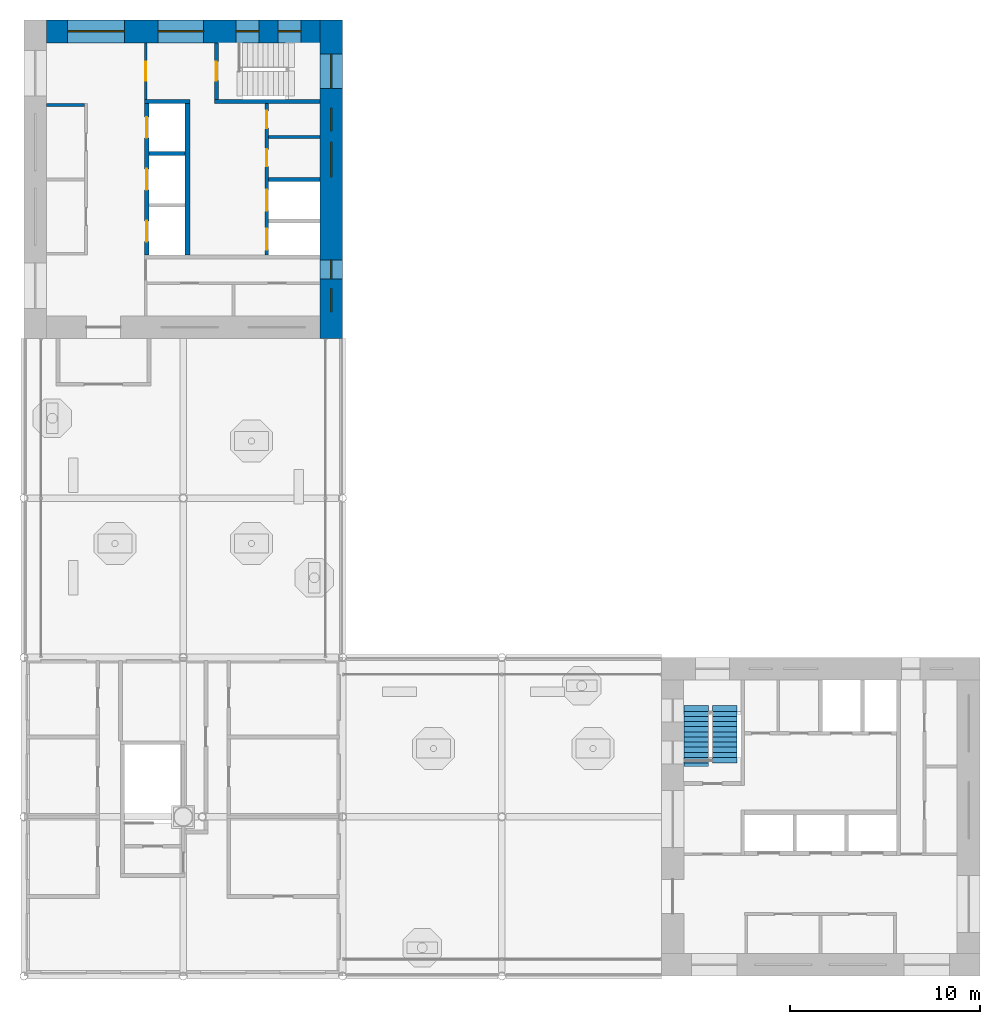
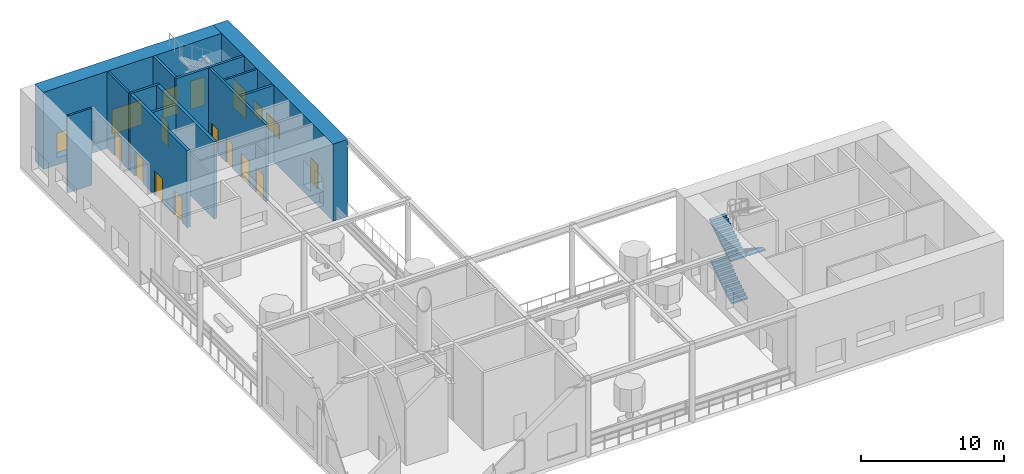
# One storey, part 11 of 15: 13 walls, 9 doors, 9 windows, 3 stair flights, 18 openings, 1 element without a shape of its own.
"""IFC4 building model written with IfcOpenShell, lengths in metres."""

from ifc_helpers import new_model, si_unit, direction, frame, frame_2d, origin, place, context, subcontext, project, spatial, polyline, rectangle, outline, extrude, material, layer, layer_set, type_object, element, fill, aggregate, save


model = new_model("IFC4")

# Units and contexts
model_context = context("Model", 3, precision=1e-05, world=origin(), true_north=direction((0.0, 1.0)))
body_context = subcontext(model_context, "Body", "Model", "MODEL_VIEW")
ifc_project = project(units=[si_unit("LENGTHUNIT", "METRE"), si_unit("AREAUNIT", "SQUARE_METRE"), si_unit("VOLUMEUNIT", "CUBIC_METRE"), si_unit("PLANEANGLEUNIT", "RADIAN"), si_unit("MASSUNIT", "GRAM", prefix="KILO")], contexts=[model_context])

# Site, building, storey
site_placement = place(None, origin())
site = spatial("IfcSite", under=ifc_project, at=site_placement, CompositionType="ELEMENT")
building_placement = place(site_placement, origin())
building = spatial("IfcBuilding", under=site, at=building_placement, Name="Vermilion Gate Residences", CompositionType="ELEMENT")
storey_placement = place(building_placement, frame((0.0, 0.0, 277.199951171875)))
storey = spatial("IfcBuildingStorey", under=building, at=storey_placement, Name="L73", CompositionType="ELEMENT", Elevation=277.199951171875)

# Walls
ifc_material_1 = material(Name="Masonry blockwork", Category="masonry")
ifc_layer_1 = layer(ifc_material_1, 0.14990234375)
ifc_layer_set_1 = layer_set([ifc_layer_1], Name="BLOCKWORK PARTITION 150 EI 120")
wall_type_1 = type_object("IfcWallType", Name="BLOCKWORK PARTITION 150 EI 120", PredefinedType="PARTITIONING", material=ifc_layer_set_1)
wall_1_placement = place(storey_placement, frame((9.60009765625, 54.324951171875, 0.0), z_axis=(0.0, 0.0, 1.0), x_axis=(1.0, 0.0, 0.0)))
element("IfcWall", 1, at=wall_1_placement, inside=storey, type_object=wall_type_1, Name="Core room partition B73-RW-W", PredefinedType="PARTITIONING", context=body_context, shape_type="SweptSolid", body=[
    extrude(rectangle(XDim=2.0, YDim=0.14990234375, at=frame_2d((1.0, 0.0))), origin(), (0.0, 0.0, 1.0), 6.580078125),
])
wall_2_placement = place(storey_placement, frame((21.300048828125, 52.637451171875, 0.0), z_axis=(0.0, 0.0, 1.0), x_axis=(1.0, 0.0, 0.0)))
element("IfcWall", 2, at=wall_2_placement, inside=storey, type_object=wall_type_1, Name="Core room partition B73-NR-P0", PredefinedType="PARTITIONING", context=body_context, shape_type="SweptSolid", body=[
    extrude(rectangle(XDim=2.699951171875, YDim=0.14990234375, at=frame_2d((1.35009765625, 0.0))), origin(), (0.0, 0.0, 1.0), 6.580078125),
])

# Wall, opening, door
wall_3_placement = place(storey_placement, frame((14.824951171875, 57.60009765625, 0.0), z_axis=(0.0, 0.0, 1.0), x_axis=(0.0, -1.0, 0.0)))
wall_3 = element("IfcWall", 3, at=wall_3_placement, inside=storey, type_object=wall_type_1, Name="Core room partition B73-VW-S", PredefinedType="PARTITIONING", context=body_context, shape_type="SweptSolid", body=[
    extrude(rectangle(XDim=3.0, YDim=0.14990234375, at=frame_2d((1.5, 0.0))), origin(), (0.0, 0.0, 1.0), 6.580078125),
])
opening_1_placement = place(wall_3_placement, frame((1.0, 0.0, 0.0)))
opening_1 = element("IfcOpeningElement", 4, at=opening_1_placement, cuts=wall_3, Name="Opening DK73111", PredefinedType="OPENING", context=body_context, shape_type="SweptSolid", body=[
    extrude(rectangle(XDim=1.0, YDim=2.10009765625, at=frame_2d((0.5, 1.050048828125))), frame((0.0, 0.0849609375, 0.0), z_axis=(0.0, -1.0, 0.0), x_axis=(1.0, 0.0, 0.0)), (0.0, 0.0, 1.0), 0.169921875),
])
ifc_material_2 = material(Name="Steel", Category="steel")
door_type_1 = type_object("IfcDoorType", Name="FIRE DOOR FD60 1000 X 2100", OperationType="SINGLE_SWING_LEFT", PredefinedType="DOOR", material=ifc_material_2)
door_1_placement = place(opening_1_placement, frame((1.0, 0.0, 0.0), z_axis=(0.0, 0.0, 1.0), x_axis=(-1.0, 0.0, 0.0)))
door_1 = element("IfcDoor", 5, at=door_1_placement, inside=storey, type_object=door_type_1, Name="Stair vestibule door B73", OperationType="SINGLE_SWING_RIGHT", OverallHeight=2.10009765625, OverallWidth=1.0, PredefinedType="DOOR", context=body_context, shape_type="SweptSolid", body=[
    extrude(rectangle(XDim=1.0, YDim=2.10009765625, at=frame_2d((0.5, 1.050048828125))), frame((0.0, 0.02490234375, 0.0), z_axis=(0.0, -1.0, 0.0), x_axis=(1.0, 0.0, 0.0)), (0.0, 0.0, 1.0), 0.050048828125),
])
fill(opening_1, door_1)

# Walls
ifc_material_3 = material(Name="Concrete C60", Category="concrete")
ifc_layer_2 = layer(ifc_material_3, 0.199951171875)
ifc_layer_set_2 = layer_set([ifc_layer_2], Name="RC CORE INTERNAL WALL 200 C60")
wall_type_2 = type_object("IfcWallType", Name="RC CORE INTERNAL WALL 200 C60", PredefinedType="SHEAR", material=ifc_layer_set_2)
wall_4_placement = place(storey_placement, frame((15.0, 51.7666015625, 0.0), z_axis=(0.0, 0.0, 1.0), x_axis=(1.0, 0.0, 0.0)))
element("IfcWall", 6, at=wall_4_placement, inside=storey, type_object=wall_type_2, Name="Core internal wall B73-HR-D1", PredefinedType="SHEAR", context=body_context, shape_type="SweptSolid", body=[
    extrude(rectangle(XDim=1.89990234375, YDim=0.199951171875, at=frame_2d((0.949951171875, 0.0))), origin(), (0.0, 0.0, 1.0), 6.580078125),
])
wall_5_placement = place(storey_placement, frame((21.300048828125, 50.39990234375, 0.0), z_axis=(0.0, 0.0, 1.0), x_axis=(1.0, 0.0, 0.0)))
element("IfcWall", 7, at=wall_5_placement, inside=storey, type_object=wall_type_2, Name="Core internal wall B73-FF-D0", PredefinedType="SHEAR", context=body_context, shape_type="SweptSolid", body=[
    extrude(rectangle(XDim=2.699951171875, YDim=0.199951171875, at=frame_2d((1.35009765625, 0.0))), origin(), (0.0, 0.0, 1.0), 6.580078125),
])

# Wall, openings, doors
wall_6_placement = place(storey_placement, frame((21.199951171875, 54.39990234375, 0.0), z_axis=(0.0, 0.0, 1.0), x_axis=(0.0, -1.0, 0.0)))
wall_6 = element("IfcWall", 8, at=wall_6_placement, inside=storey, type_object=wall_type_2, Name="Core internal wall B73-FF-F", PredefinedType="SHEAR", context=body_context, shape_type="SweptSolid", body=[
    extrude(rectangle(XDim=8.0, YDim=0.199951171875, at=frame_2d((4.0, 0.0))), origin(), (0.0, 0.0, 1.0), 6.580078125),
])
opening_2_placement = place(wall_6_placement, frame((0.393798828125, 0.0, 0.0)))
opening_2 = element("IfcOpeningElement", 9, at=opening_2_placement, cuts=wall_6, Name="Opening DK73107", PredefinedType="OPENING", context=body_context, shape_type="SweptSolid", body=[
    extrude(rectangle(XDim=0.89990234375, YDim=2.10009765625, at=frame_2d((0.449951171875, 1.050048828125))), frame((0.0, 0.10986328125, 0.0), z_axis=(0.0, -1.0, 0.0), x_axis=(1.0, 0.0, 0.0)), (0.0, 0.0, 1.0), 0.219970703125),
])
opening_3_placement = place(wall_6_placement, frame((2.418701171875, 0.0, 0.0)))
opening_3 = element("IfcOpeningElement", 10, at=opening_3_placement, cuts=wall_6, Name="Opening DK73108", PredefinedType="OPENING", context=body_context, shape_type="SweptSolid", body=[
    extrude(rectangle(XDim=0.89990234375, YDim=2.10009765625, at=frame_2d((0.449951171875, 1.050048828125))), frame((0.0, 0.10986328125, 0.0), z_axis=(0.0, -1.0, 0.0), x_axis=(1.0, 0.0, 0.0)), (0.0, 0.0, 1.0), 0.219970703125),
])
opening_4_placement = place(wall_6_placement, frame((4.550048828125, 0.0, 0.0)))
opening_4 = element("IfcOpeningElement", 11, at=opening_4_placement, cuts=wall_6, Name="Opening LD", PredefinedType="OPENING", context=body_context, shape_type="SweptSolid", body=[
    extrude(rectangle(XDim=1.10009765625, YDim=2.10009765625, at=frame_2d((0.550048828125, 1.050048828125))), frame((0.0, 0.10986328125, 0.0), z_axis=(0.0, -1.0, 0.0), x_axis=(1.0, 0.0, 0.0)), (0.0, 0.0, 1.0), 0.219970703125),
])
opening_5_placement = place(wall_6_placement, frame((6.60009765625, 0.0, 0.0)))
opening_5 = element("IfcOpeningElement", 12, at=opening_5_placement, cuts=wall_6, Name="Opening LD", PredefinedType="OPENING", context=body_context, shape_type="SweptSolid", body=[
    extrude(rectangle(XDim=1.10009765625, YDim=2.10009765625, at=frame_2d((0.550048828125, 1.050048828125))), frame((0.0, 0.10986328125, 0.0), z_axis=(0.0, -1.0, 0.0), x_axis=(1.0, 0.0, 0.0)), (0.0, 0.0, 1.0), 0.219970703125),
])
ifc_material_4 = material(Name="Stainless steel", Category="steel")
door_type_2 = type_object("IfcDoorType", Name="LIFT LANDING DOOR E60 1100 X 2100", OperationType="DOUBLE_DOOR_SLIDING", PredefinedType="DOOR", material=ifc_material_4)
door_2_placement = place(opening_4_placement, origin())
door_2 = element("IfcDoor", 13, at=door_2_placement, inside=storey, type_object=door_type_2, Name="Lift landing door LFB1", OperationType="DOUBLE_DOOR_SLIDING", OverallHeight=2.10009765625, OverallWidth=1.10009765625, PredefinedType="DOOR", context=body_context, shape_type="SweptSolid", body=[
    extrude(rectangle(XDim=1.10009765625, YDim=2.10009765625, at=frame_2d((0.550048828125, 1.050048828125))), frame((0.0, 0.02490234375, 0.0), z_axis=(0.0, -1.0, 0.0), x_axis=(1.0, 0.0, 0.0)), (0.0, 0.0, 1.0), 0.050048828125),
])
fill(opening_4, door_2)
door_3_placement = place(opening_5_placement, origin())
door_3 = element("IfcDoor", 14, at=door_3_placement, inside=storey, type_object=door_type_2, Name="Lift landing door LCB1", OperationType="DOUBLE_DOOR_SLIDING", OverallHeight=2.10009765625, OverallWidth=1.10009765625, PredefinedType="DOOR", context=body_context, shape_type="SweptSolid", body=[
    extrude(rectangle(XDim=1.10009765625, YDim=2.10009765625, at=frame_2d((0.550048828125, 1.050048828125))), frame((0.0, 0.02490234375, 0.0), z_axis=(0.0, -1.0, 0.0), x_axis=(1.0, 0.0, 0.0)), (0.0, 0.0, 1.0), 0.050048828125),
])
fill(opening_5, door_3)
ifc_material_5 = material(Name="Steel", Category="steel")
door_type_3 = type_object("IfcDoorType", Name="SERVICE ROOM DOOR FD60 900 X 2100", OperationType="SINGLE_SWING_LEFT", PredefinedType="DOOR", material=ifc_material_5)
door_4_placement = place(opening_2_placement, origin())
door_4 = element("IfcDoor", 15, at=door_4_placement, inside=storey, type_object=door_type_3, Name="Parcel room B73", OperationType="SINGLE_SWING_RIGHT", OverallHeight=2.10009765625, OverallWidth=0.89990234375, PredefinedType="DOOR", context=body_context, shape_type="SweptSolid", body=[
    extrude(rectangle(XDim=0.89990234375, YDim=2.10009765625, at=frame_2d((0.449951171875, 1.050048828125))), frame((0.0, 0.02490234375, 0.0), z_axis=(0.0, -1.0, 0.0), x_axis=(1.0, 0.0, 0.0)), (0.0, 0.0, 1.0), 0.050048828125),
])
fill(opening_2, door_4)
door_5_placement = place(opening_3_placement, frame((0.89990234375, 0.0, 0.0), z_axis=(0.0, 0.0, 1.0), x_axis=(-1.0, 0.0, 0.0)))
door_5 = element("IfcDoor", 16, at=door_5_placement, inside=storey, type_object=door_type_3, Name="Electrical room B73", OperationType="SINGLE_SWING_RIGHT", OverallHeight=2.10009765625, OverallWidth=0.89990234375, PredefinedType="DOOR", context=body_context, shape_type="SweptSolid", body=[
    extrude(rectangle(XDim=0.89990234375, YDim=2.10009765625, at=frame_2d((0.449951171875, 1.050048828125))), frame((0.0, 0.02490234375, 0.0), z_axis=(0.0, -1.0, 0.0), x_axis=(1.0, 0.0, 0.0)), (0.0, 0.0, 1.0), 0.050048828125),
])
fill(opening_3, door_5)

# Walls
wall_7_placement = place(storey_placement, frame((14.75, 54.5, 0.0), z_axis=(0.0, 0.0, 1.0), x_axis=(1.0, 0.0, 0.0)))
element("IfcWall", 17, at=wall_7_placement, inside=storey, type_object=wall_type_2, Name="Core internal wall B73-WDIV1", PredefinedType="SHEAR", context=body_context, shape_type="SweptSolid", body=[
    extrude(rectangle(XDim=2.39990234375, YDim=0.199951171875, at=frame_2d((1.199951171875, 0.0))), origin(), (0.0, 0.0, 1.0), 6.580078125),
])
wall_8_placement = place(storey_placement, frame((18.449951171875, 54.5, 0.0), z_axis=(0.0, 0.0, 1.0), x_axis=(1.0, 0.0, 0.0)))
element("IfcWall", 18, at=wall_8_placement, inside=storey, type_object=wall_type_2, Name="Core internal wall B73-WDIV2", PredefinedType="SHEAR", context=body_context, shape_type="SweptSolid", body=[
    extrude(rectangle(XDim=5.550048828125, YDim=0.199951171875, at=frame_2d((2.77490234375, 0.0))), origin(), (0.0, 0.0, 1.0), 6.580078125),
])

# Wall, opening, door
wall_9_placement = place(storey_placement, frame((18.550048828125, 57.60009765625, 0.0), z_axis=(0.0, 0.0, 1.0), x_axis=(0.0, -1.0, 0.0)))
wall_9 = element("IfcWall", 19, at=wall_9_placement, inside=storey, type_object=wall_type_2, Name="Core internal wall B73-STW-S", PredefinedType="SHEAR", context=body_context, shape_type="SweptSolid", body=[
    extrude(rectangle(XDim=3.0, YDim=0.199951171875, at=frame_2d((1.5, 0.0))), origin(), (0.0, 0.0, 1.0), 6.580078125),
])
opening_6_placement = place(wall_9_placement, frame((1.0, 0.0, 0.0)))
opening_6 = element("IfcOpeningElement", 20, at=opening_6_placement, cuts=wall_9, Name="Opening DK73112", PredefinedType="OPENING", context=body_context, shape_type="SweptSolid", body=[
    extrude(rectangle(XDim=1.0, YDim=2.10009765625, at=frame_2d((0.5, 1.050048828125))), frame((0.0, 0.10986328125, 0.0), z_axis=(0.0, -1.0, 0.0), x_axis=(1.0, 0.0, 0.0)), (0.0, 0.0, 1.0), 0.219970703125),
])
door_6_placement = place(opening_6_placement, origin())
door_6 = element("IfcDoor", 21, at=door_6_placement, inside=storey, type_object=door_type_1, Name="Stair door B73", OperationType="SINGLE_SWING_LEFT", OverallHeight=2.10009765625, OverallWidth=1.0, PredefinedType="DOOR", context=body_context, shape_type="SweptSolid", body=[
    extrude(rectangle(XDim=1.0, YDim=2.10009765625, at=frame_2d((0.5, 1.050048828125))), frame((0.0, 0.02490234375, 0.0), z_axis=(0.0, -1.0, 0.0), x_axis=(1.0, 0.0, 0.0)), (0.0, 0.0, 1.0), 0.050048828125),
])
fill(opening_6, door_6)

# Wall, openings, windows
ifc_material_6 = material(Name="Concrete C50 red-oxide pigmented", Category="concrete")
ifc_layer_3 = layer(ifc_material_6, 1.199951171875)
ifc_layer_set_3 = layer_set([ifc_layer_3], Name="RC CORE WALL 1200 C50 RED OXIDE")
wall_type_3 = type_object("IfcWallType", Name="RC CORE WALL 1200 C50 RED OXIDE", PredefinedType="SHEAR", material=ifc_layer_set_3)
wall_10_placement = place(storey_placement, frame((24.60009765625, 58.800048828125, 0.0), z_axis=(0.0, 0.0, 1.0), x_axis=(0.0, -1.0, 0.0)))
wall_10 = element("IfcWall", 22, at=wall_10_placement, inside=storey, type_object=wall_type_3, Name="Core wall B73-OUT-B1", PredefinedType="SHEAR", context=body_context, shape_type="SweptSolid", body=[
    extrude(rectangle(XDim=16.800048828125, YDim=1.199951171875, at=frame_2d((8.39990234375, 0.0))), origin(), (0.0, 0.0, 1.0), 6.580078125),
])
opening_7_placement = place(wall_10_placement, frame((1.800048828125, 0.0, 0.5)))
opening_7 = element("IfcOpeningElement", 23, at=opening_7_placement, cuts=wall_10, Name="Opening WKB7305", PredefinedType="OPENING", context=body_context, shape_type="SweptSolid", body=[
    extrude(rectangle(XDim=1.800048828125, YDim=2.39990234375, at=frame_2d((0.89990234375, 1.199951171875))), frame((0.0, 0.60986328125, 0.0), z_axis=(0.0, -1.0, 0.0), x_axis=(1.0, 0.0, 0.0)), (0.0, 0.0, 1.0), 1.219970703125),
])
opening_8_placement = place(wall_10_placement, frame((4.643798828125, 0.0, 1.60009765625)))
opening_8 = element("IfcOpeningElement", 24, at=opening_8_placement, cuts=wall_10, Name="Opening WKB7306", PredefinedType="OPENING", context=body_context, shape_type="SweptSolid", body=[
    extrude(rectangle(XDim=1.199951171875, YDim=1.199951171875, at=frame_2d((0.60009765625, 0.60009765625))), frame((0.0, 0.60986328125, 0.0), z_axis=(0.0, -1.0, 0.0), x_axis=(1.0, 0.0, 0.0)), (0.0, 0.0, 1.0), 1.219970703125),
])
opening_9_placement = place(wall_10_placement, frame((6.449951171875, 0.0, 1.60009765625)))
opening_9 = element("IfcOpeningElement", 25, at=opening_9_placement, cuts=wall_10, Name="Opening WKB7307", PredefinedType="OPENING", context=body_context, shape_type="SweptSolid", body=[
    extrude(rectangle(XDim=1.800048828125, YDim=1.199951171875, at=frame_2d((0.89990234375, 0.60009765625))), frame((0.0, 0.60986328125, 0.0), z_axis=(0.0, -1.0, 0.0), x_axis=(1.0, 0.0, 0.0)), (0.0, 0.0, 1.0), 1.219970703125),
])
opening_10_placement = place(wall_10_placement, frame((12.64990234375, 0.0, 0.60009765625)))
opening_10 = element("IfcOpeningElement", 26, at=opening_10_placement, cuts=wall_10, Name="Opening WKB7308", PredefinedType="OPENING", context=body_context, shape_type="SweptSolid", body=[
    extrude(rectangle(XDim=1.0, YDim=2.10009765625, at=frame_2d((0.5, 1.050048828125))), frame((0.0, 0.60986328125, 0.0), z_axis=(0.0, -1.0, 0.0), x_axis=(1.0, 0.0, 0.0)), (0.0, 0.0, 1.0), 1.219970703125),
])
opening_11_placement = place(wall_10_placement, frame((14.175048828125, 0.0, 1.60009765625)))
opening_11 = element("IfcOpeningElement", 27, at=opening_11_placement, cuts=wall_10, Name="Opening WKB7309", PredefinedType="OPENING", context=body_context, shape_type="SweptSolid", body=[
    extrude(rectangle(XDim=1.199951171875, YDim=1.199951171875, at=frame_2d((0.60009765625, 0.60009765625))), frame((0.0, 0.60986328125, 0.0), z_axis=(0.0, -1.0, 0.0), x_axis=(1.0, 0.0, 0.0)), (0.0, 0.0, 1.0), 1.219970703125),
])
ifc_material_7 = material(Name="Aluminium and clear glass", Category="aluminium")
window_type_1 = type_object("IfcWindowType", Name="CORE CORRIDOR WINDOW 1000 X 2100", PartitioningType="SINGLE_PANEL", PredefinedType="WINDOW", material=ifc_material_7)
window_1_placement = place(opening_10_placement, origin())
window_1 = element("IfcWindow", 28, at=window_1_placement, inside=storey, type_object=window_type_1, Name="Core corridor window", OverallHeight=2.10009765625, OverallWidth=1.0, PartitioningType="SINGLE_PANEL", PredefinedType="WINDOW", context=body_context, shape_type="SweptSolid", body=[
    extrude(rectangle(XDim=1.0, YDim=2.10009765625, at=frame_2d((0.5, 1.050048828125))), frame((0.0, 0.030029296875, 0.0), z_axis=(0.0, -1.0, 0.0), x_axis=(1.0, 0.0, 0.0)), (0.0, 0.0, 1.0), 0.06005859375),
])
fill(opening_10, window_1)
ifc_material_8 = material(Name="Aluminium frame with louvre blades", Category="aluminium")
window_type_2 = type_object("IfcWindowType", Name="CORE LOUVRE 1200 X 1200", PartitioningType="SINGLE_PANEL", PredefinedType="WINDOW", material=ifc_material_8)
window_2_placement = place(opening_8_placement, origin())
window_2 = element("IfcWindow", 29, at=window_2_placement, inside=storey, type_object=window_type_2, Name="Core louvre", OverallHeight=1.199951171875, OverallWidth=1.199951171875, PartitioningType="SINGLE_PANEL", PredefinedType="WINDOW", context=body_context, shape_type="SweptSolid", body=[
    extrude(rectangle(XDim=1.199951171875, YDim=1.199951171875, at=frame_2d((0.60009765625, 0.60009765625))), frame((0.0, 0.030029296875, 0.0), z_axis=(0.0, -1.0, 0.0), x_axis=(1.0, 0.0, 0.0)), (0.0, 0.0, 1.0), 0.06005859375),
])
fill(opening_8, window_2)
window_3_placement = place(opening_11_placement, origin())
window_3 = element("IfcWindow", 30, at=window_3_placement, inside=storey, type_object=window_type_2, Name="Core louvre", OverallHeight=1.199951171875, OverallWidth=1.199951171875, PartitioningType="SINGLE_PANEL", PredefinedType="WINDOW", context=body_context, shape_type="SweptSolid", body=[
    extrude(rectangle(XDim=1.199951171875, YDim=1.199951171875, at=frame_2d((0.60009765625, 0.60009765625))), frame((0.0, 0.030029296875, 0.0), z_axis=(0.0, -1.0, 0.0), x_axis=(1.0, 0.0, 0.0)), (0.0, 0.0, 1.0), 0.06005859375),
])
fill(opening_11, window_3)
ifc_material_9 = material(Name="Aluminium frame with louvre blades", Category="aluminium")
window_type_3 = type_object("IfcWindowType", Name="CORE LOUVRE 1800 X 1200", PartitioningType="SINGLE_PANEL", PredefinedType="WINDOW", material=ifc_material_9)
window_4_placement = place(opening_9_placement, origin())
window_4 = element("IfcWindow", 31, at=window_4_placement, inside=storey, type_object=window_type_3, Name="Core louvre", OverallHeight=1.199951171875, OverallWidth=1.800048828125, PartitioningType="SINGLE_PANEL", PredefinedType="WINDOW", context=body_context, shape_type="SweptSolid", body=[
    extrude(rectangle(XDim=1.800048828125, YDim=1.199951171875, at=frame_2d((0.89990234375, 0.60009765625))), frame((0.0, 0.030029296875, 0.0), z_axis=(0.0, -1.0, 0.0), x_axis=(1.0, 0.0, 0.0)), (0.0, 0.0, 1.0), 0.06005859375),
])
fill(opening_9, window_4)
ifc_material_10 = material(Name="Aluminium and clear glass", Category="aluminium")
window_type_4 = type_object("IfcWindowType", Name="CORE STAIR WINDOW 1800 X 2400", PartitioningType="SINGLE_PANEL", PredefinedType="WINDOW", material=ifc_material_10)
window_5_placement = place(opening_7_placement, origin())
window_5 = element("IfcWindow", 32, at=window_5_placement, inside=storey, type_object=window_type_4, Name="Core stair window", OverallHeight=2.39990234375, OverallWidth=1.800048828125, PartitioningType="SINGLE_PANEL", PredefinedType="WINDOW", context=body_context, shape_type="SweptSolid", body=[
    extrude(rectangle(XDim=1.800048828125, YDim=2.39990234375, at=frame_2d((0.89990234375, 1.199951171875))), frame((0.0, 0.030029296875, 0.0), z_axis=(0.0, -1.0, 0.0), x_axis=(1.0, 0.0, 0.0)), (0.0, 0.0, 1.0), 0.06005859375),
])
fill(opening_7, window_5)

wall_11_placement = place(storey_placement, frame((9.60009765625, 58.199951171875, 0.0), z_axis=(0.0, 0.0, 1.0), x_axis=(1.0, 0.0, 0.0)))
wall_11 = element("IfcWall", 33, at=wall_11_placement, inside=storey, type_object=wall_type_3, Name="Core wall B73-OUT-FR", PredefinedType="SHEAR", context=body_context, shape_type="SweptSolid", body=[
    extrude(rectangle(XDim=14.39990234375, YDim=1.199951171875, at=frame_2d((7.199951171875, 0.0))), origin(), (0.0, 0.0, 1.0), 6.580078125),
])
opening_12_placement = place(wall_11_placement, frame((1.10498046875, 0.0, 0.60009765625)))
opening_12 = element("IfcOpeningElement", 34, at=opening_12_placement, cuts=wall_11, Name="Opening WKB7310", PredefinedType="OPENING", context=body_context, shape_type="SweptSolid", body=[
    extrude(rectangle(XDim=3.0, YDim=2.10009765625, at=frame_2d((1.5, 1.050048828125))), frame((0.0, 0.60986328125, 0.0), z_axis=(0.0, -1.0, 0.0), x_axis=(1.0, 0.0, 0.0)), (0.0, 0.0, 1.0), 1.219970703125),
])
opening_13_placement = place(wall_11_placement, frame((5.875, 0.0, 0.60009765625)))
opening_13 = element("IfcOpeningElement", 35, at=opening_13_placement, cuts=wall_11, Name="Opening WKB7311", PredefinedType="OPENING", context=body_context, shape_type="SweptSolid", body=[
    extrude(rectangle(XDim=2.39990234375, YDim=2.10009765625, at=frame_2d((1.199951171875, 1.050048828125))), frame((0.0, 0.60986328125, 0.0), z_axis=(0.0, -1.0, 0.0), x_axis=(1.0, 0.0, 0.0)), (0.0, 0.0, 1.0), 1.219970703125),
])
opening_14_placement = place(wall_11_placement, frame((9.993408203125, 0.0, 0.5)))
opening_14 = element("IfcOpeningElement", 36, at=opening_14_placement, cuts=wall_11, Name="Opening WKB7312", PredefinedType="OPENING", context=body_context, shape_type="SweptSolid", body=[
    extrude(rectangle(XDim=1.199951171875, YDim=2.39990234375, at=frame_2d((0.60009765625, 1.199951171875))), frame((0.0, 0.60986328125, 0.0), z_axis=(0.0, -1.0, 0.0), x_axis=(1.0, 0.0, 0.0)), (0.0, 0.0, 1.0), 1.219970703125),
])
opening_15_placement = place(wall_11_placement, frame((12.19677734375, 0.0, 0.5)))
opening_15 = element("IfcOpeningElement", 37, at=opening_15_placement, cuts=wall_11, Name="Opening WKB7313", PredefinedType="OPENING", context=body_context, shape_type="SweptSolid", body=[
    extrude(rectangle(XDim=1.199951171875, YDim=2.39990234375, at=frame_2d((0.60009765625, 1.199951171875))), frame((0.0, 0.60986328125, 0.0), z_axis=(0.0, -1.0, 0.0), x_axis=(1.0, 0.0, 0.0)), (0.0, 0.0, 1.0), 1.219970703125),
])
ifc_material_11 = material(Name="Aluminium and clear glass", Category="aluminium")
window_type_5 = type_object("IfcWindowType", Name="CORE LOBBY WINDOW 2400 X 2100", PartitioningType="SINGLE_PANEL", PredefinedType="WINDOW", material=ifc_material_11)
window_6_placement = place(opening_13_placement, origin())
window_6 = element("IfcWindow", 38, at=window_6_placement, inside=storey, type_object=window_type_5, Name="Core lobby window", OverallHeight=2.10009765625, OverallWidth=2.39990234375, PartitioningType="SINGLE_PANEL", PredefinedType="WINDOW", context=body_context, shape_type="SweptSolid", body=[
    extrude(rectangle(XDim=2.39990234375, YDim=2.10009765625, at=frame_2d((1.199951171875, 1.050048828125))), frame((0.0, 0.030029296875, 0.0), z_axis=(0.0, -1.0, 0.0), x_axis=(1.0, 0.0, 0.0)), (0.0, 0.0, 1.0), 0.06005859375),
])
fill(opening_13, window_6)
ifc_material_12 = material(Name="Aluminium and clear glass", Category="aluminium")
window_type_6 = type_object("IfcWindowType", Name="CORE LOBBY WINDOW 3000 X 2100", PartitioningType="SINGLE_PANEL", PredefinedType="WINDOW", material=ifc_material_12)
window_7_placement = place(opening_12_placement, origin())
window_7 = element("IfcWindow", 39, at=window_7_placement, inside=storey, type_object=window_type_6, Name="Core lobby window", OverallHeight=2.10009765625, OverallWidth=3.0, PartitioningType="SINGLE_PANEL", PredefinedType="WINDOW", context=body_context, shape_type="SweptSolid", body=[
    extrude(rectangle(XDim=3.0, YDim=2.10009765625, at=frame_2d((1.5, 1.050048828125))), frame((0.0, 0.030029296875, 0.0), z_axis=(0.0, -1.0, 0.0), x_axis=(1.0, 0.0, 0.0)), (0.0, 0.0, 1.0), 0.06005859375),
])
fill(opening_12, window_7)
ifc_material_13 = material(Name="Aluminium and clear glass", Category="aluminium")
window_type_7 = type_object("IfcWindowType", Name="CORE STAIR WINDOW 1200 X 2400", PartitioningType="SINGLE_PANEL", PredefinedType="WINDOW", material=ifc_material_13)
window_8_placement = place(opening_14_placement, origin())
window_8 = element("IfcWindow", 40, at=window_8_placement, inside=storey, type_object=window_type_7, Name="Core stair window", OverallHeight=2.39990234375, OverallWidth=1.199951171875, PartitioningType="SINGLE_PANEL", PredefinedType="WINDOW", context=body_context, shape_type="SweptSolid", body=[
    extrude(rectangle(XDim=1.199951171875, YDim=2.39990234375, at=frame_2d((0.60009765625, 1.199951171875))), frame((0.0, 0.030029296875, 0.0), z_axis=(0.0, -1.0, 0.0), x_axis=(1.0, 0.0, 0.0)), (0.0, 0.0, 1.0), 0.06005859375),
])
fill(opening_14, window_8)
window_9_placement = place(opening_15_placement, origin())
window_9 = element("IfcWindow", 41, at=window_9_placement, inside=storey, type_object=window_type_7, Name="Core stair window", OverallHeight=2.39990234375, OverallWidth=1.199951171875, PartitioningType="SINGLE_PANEL", PredefinedType="WINDOW", context=body_context, shape_type="SweptSolid", body=[
    extrude(rectangle(XDim=1.199951171875, YDim=2.39990234375, at=frame_2d((0.60009765625, 1.199951171875))), frame((0.0, 0.030029296875, 0.0), z_axis=(0.0, -1.0, 0.0), x_axis=(1.0, 0.0, 0.0)), (0.0, 0.0, 1.0), 0.06005859375),
])
fill(opening_15, window_9)

# Wall, openings, doors
ifc_material_14 = material(Name="Concrete C60", Category="concrete")
ifc_layer_4 = layer(ifc_material_14, 0.25)
ifc_layer_set_4 = layer_set([ifc_layer_4], Name="RC LIFT SHAFT WALL 250 C60")
wall_type_4 = type_object("IfcWallType", Name="RC LIFT SHAFT WALL 250 C60", PredefinedType="SHEAR", material=ifc_layer_set_4)
wall_12_placement = place(storey_placement, frame((14.875, 54.39990234375, 0.0), z_axis=(0.0, 0.0, 1.0), x_axis=(0.0, -1.0, 0.0)))
wall_12 = element("IfcWall", 42, at=wall_12_placement, inside=storey, type_object=wall_type_4, Name="Lift shaft wall B73-HR-F", PredefinedType="SHEAR", context=body_context, shape_type="SweptSolid", body=[
    extrude(rectangle(XDim=8.0, YDim=0.25, at=frame_2d((4.0, 0.0))), origin(), (0.0, 0.0, 1.0), 6.580078125),
])
opening_16_placement = place(wall_12_placement, frame((0.716552734375, 0.0, 0.0)))
opening_16 = element("IfcOpeningElement", 43, at=opening_16_placement, cuts=wall_12, Name="Opening LD", PredefinedType="OPENING", context=body_context, shape_type="SweptSolid", body=[
    extrude(rectangle(XDim=1.10009765625, YDim=2.10009765625, at=frame_2d((0.550048828125, 1.050048828125))), frame((0.0, 0.135009765625, 0.0), z_axis=(0.0, -1.0, 0.0), x_axis=(1.0, 0.0, 0.0)), (0.0, 0.0, 1.0), 0.27001953125),
])
opening_17_placement = place(wall_12_placement, frame((3.449951171875, 0.0, 0.0)))
opening_17 = element("IfcOpeningElement", 44, at=opening_17_placement, cuts=wall_12, Name="Opening LD", PredefinedType="OPENING", context=body_context, shape_type="SweptSolid", body=[
    extrude(rectangle(XDim=1.10009765625, YDim=2.10009765625, at=frame_2d((0.550048828125, 1.050048828125))), frame((0.0, 0.135009765625, 0.0), z_axis=(0.0, -1.0, 0.0), x_axis=(1.0, 0.0, 0.0)), (0.0, 0.0, 1.0), 0.27001953125),
])
opening_18_placement = place(wall_12_placement, frame((6.183349609375, 0.0, 0.0)))
opening_18 = element("IfcOpeningElement", 45, at=opening_18_placement, cuts=wall_12, Name="Opening LD", PredefinedType="OPENING", context=body_context, shape_type="SweptSolid", body=[
    extrude(rectangle(XDim=1.10009765625, YDim=2.10009765625, at=frame_2d((0.550048828125, 1.050048828125))), frame((0.0, 0.135009765625, 0.0), z_axis=(0.0, -1.0, 0.0), x_axis=(1.0, 0.0, 0.0)), (0.0, 0.0, 1.0), 0.27001953125),
])
door_7_placement = place(opening_16_placement, origin())
door_7 = element("IfcDoor", 46, at=door_7_placement, inside=storey, type_object=door_type_2, Name="Lift landing door HRB1", OperationType="DOUBLE_DOOR_SLIDING", OverallHeight=2.10009765625, OverallWidth=1.10009765625, PredefinedType="DOOR", context=body_context, shape_type="SweptSolid", body=[
    extrude(rectangle(XDim=1.10009765625, YDim=2.10009765625, at=frame_2d((0.550048828125, 1.050048828125))), frame((0.0, 0.02490234375, 0.0), z_axis=(0.0, -1.0, 0.0), x_axis=(1.0, 0.0, 0.0)), (0.0, 0.0, 1.0), 0.050048828125),
])
fill(opening_16, door_7)
door_8_placement = place(opening_17_placement, origin())
door_8 = element("IfcDoor", 47, at=door_8_placement, inside=storey, type_object=door_type_2, Name="Lift landing door HRB2", OperationType="DOUBLE_DOOR_SLIDING", OverallHeight=2.10009765625, OverallWidth=1.10009765625, PredefinedType="DOOR", context=body_context, shape_type="SweptSolid", body=[
    extrude(rectangle(XDim=1.10009765625, YDim=2.10009765625, at=frame_2d((0.550048828125, 1.050048828125))), frame((0.0, 0.02490234375, 0.0), z_axis=(0.0, -1.0, 0.0), x_axis=(1.0, 0.0, 0.0)), (0.0, 0.0, 1.0), 0.050048828125),
])
fill(opening_17, door_8)
door_9_placement = place(opening_18_placement, origin())
door_9 = element("IfcDoor", 48, at=door_9_placement, inside=storey, type_object=door_type_2, Name="Lift landing door HRB3", OperationType="DOUBLE_DOOR_SLIDING", OverallHeight=2.10009765625, OverallWidth=1.10009765625, PredefinedType="DOOR", context=body_context, shape_type="SweptSolid", body=[
    extrude(rectangle(XDim=1.10009765625, YDim=2.10009765625, at=frame_2d((0.550048828125, 1.050048828125))), frame((0.0, 0.02490234375, 0.0), z_axis=(0.0, -1.0, 0.0), x_axis=(1.0, 0.0, 0.0)), (0.0, 0.0, 1.0), 0.050048828125),
])
fill(opening_18, door_9)

# Wall
wall_13_placement = place(storey_placement, frame((17.02490234375, 54.39990234375, 0.0), z_axis=(0.0, 0.0, 1.0), x_axis=(0.0, -1.0, 0.0)))
element("IfcWall", 49, at=wall_13_placement, inside=storey, type_object=wall_type_4, Name="Lift shaft wall B73-HR-B", PredefinedType="SHEAR", context=body_context, shape_type="SweptSolid", body=[
    extrude(rectangle(XDim=8.0, YDim=0.25, at=frame_2d((4.0, 0.0))), origin(), (0.0, 0.0, 1.0), 6.580078125),
])

# Stair, stair flights
ifc_material_15 = material(Name="Concrete C50", Category="concrete")
stair_type = type_object("IfcStairType", Name="SPECIAL ESCAPE STAIR 1300", PredefinedType="HALF_TURN_STAIR", material=ifc_material_15)
stair_placement = place(storey_placement, origin())
stair = element("IfcStair", 50, at=stair_placement, inside=storey, type_object=stair_type, Name="Special escape stair STA1-73", PredefinedType="HALF_TURN_STAIR")
ifc_material_16 = material(Name="Concrete C50", Category="concrete")
stair_flight_type = type_object("IfcStairFlightType", Name="STAIR FLIGHT 1300 RC C50", PredefinedType="STRAIGHT", material=ifc_material_16)
stair_flight_1_placement = place(storey_placement, frame((43.85009765625, 19.75, 0.0), z_axis=(0.0, 0.0, 1.0), x_axis=(0.0, 1.0, 0.0)))
stair_flight_1 = element("IfcStairFlight", 51, at=stair_flight_1_placement, type_object=stair_flight_type, Name="STA1-73 flight 1", NumberOfRisers=10, NumberOfTreads=9, PredefinedType="STRAIGHT", RiserHeight=0.175, TreadLength=0.27, context=body_context, shape_type="SweptSolid", body=[
    extrude(outline(polyline([(-0.300048828125, -0.14990234375), (-0.300048828125, -0.030029296875), (0.0, 0.0), (0.0, 0.175048828125), (0.27001953125, 0.175048828125), (0.27001953125, 0.35009765625), (0.5400390625, 0.35009765625), (0.5400390625, 0.52490234375), (0.81005859375, 0.52490234375), (0.81005859375, 0.699951171875), (1.080078125, 0.699951171875), (1.080078125, 0.875), (1.35009765625, 0.875), (1.35009765625, 1.050048828125), (1.6201171875, 1.050048828125), (1.6201171875, 1.22509765625), (1.889892578125, 1.22509765625), (1.889892578125, 1.39990234375), (2.159912109375, 1.39990234375), (2.159912109375, 1.574951171875), (2.429931640625, 1.574951171875), (2.429931640625, 1.75), (2.72998046875, 1.719970703125), (2.72998046875, 1.60009765625), (2.429931640625, 1.396484375), (0.275634765625, 0.0), (-0.300048828125, -0.14990234375)])), frame((0.0, 0.64990234375, 0.0), z_axis=(0.0, -1.0, 0.0), x_axis=(1.0, 0.0, 0.0)), (0.0, 0.0, 1.0), 1.300048828125),
])
stair_flight_2_placement = place(storey_placement, frame((45.35009765625, 22.360107421875, 1.75), z_axis=(0.0, 0.0, 1.0), x_axis=(0.0, -1.0, 0.0)))
stair_flight_2 = element("IfcStairFlight", 52, at=stair_flight_2_placement, type_object=stair_flight_type, Name="STA1-73 flight 2", NumberOfRisers=10, NumberOfTreads=9, PredefinedType="STRAIGHT", RiserHeight=0.175, TreadLength=0.27, context=body_context, shape_type="SweptSolid", body=[
    extrude(outline(polyline([(-0.300048828125, -0.14990234375), (-0.300048828125, -0.030029296875), (0.0, 0.0), (0.0, 0.175048828125), (0.27001953125, 0.175048828125), (0.27001953125, 0.35009765625), (0.5400390625, 0.35009765625), (0.5400390625, 0.52490234375), (0.81005859375, 0.52490234375), (0.81005859375, 0.699951171875), (1.080078125, 0.699951171875), (1.080078125, 0.875), (1.35009765625, 0.875), (1.35009765625, 1.050048828125), (1.6201171875, 1.050048828125), (1.6201171875, 1.22509765625), (1.889892578125, 1.22509765625), (1.889892578125, 1.39990234375), (2.159912109375, 1.39990234375), (2.159912109375, 1.574951171875), (2.429931640625, 1.574951171875), (2.429931640625, 1.75), (2.72998046875, 1.719970703125), (2.72998046875, 1.60009765625), (2.429931640625, 1.396484375), (0.275634765625, 0.0), (-0.300048828125, -0.14990234375)])), frame((0.0, 0.64990234375, 0.0), z_axis=(0.0, -1.0, 0.0), x_axis=(1.0, 0.0, 0.0)), (0.0, 0.0, 1.0), 1.300048828125),
])
stair_flight_3_placement = place(storey_placement, frame((43.85009765625, 19.929931640625, 3.5), z_axis=(0.0, 0.0, 1.0), x_axis=(0.0, 1.0, 0.0)))
stair_flight_3 = element("IfcStairFlight", 53, at=stair_flight_3_placement, type_object=stair_flight_type, Name="STA1-73 flight 3", NumberOfRisers=10, NumberOfTreads=9, PredefinedType="STRAIGHT", RiserHeight=0.175, TreadLength=0.27, context=body_context, shape_type="SweptSolid", body=[
    extrude(outline(polyline([(-0.300048828125, -0.14990234375), (-0.300048828125, -0.030029296875), (0.0, 0.0), (0.0, 0.175048828125), (0.27001953125, 0.175048828125), (0.27001953125, 0.35009765625), (0.5400390625, 0.35009765625), (0.5400390625, 0.52490234375), (0.81005859375, 0.52490234375), (0.81005859375, 0.699951171875), (1.080078125, 0.699951171875), (1.080078125, 0.875), (1.35009765625, 0.875), (1.35009765625, 1.050048828125), (1.6201171875, 1.050048828125), (1.6201171875, 1.22509765625), (1.889892578125, 1.22509765625), (1.889892578125, 1.39990234375), (2.159912109375, 1.39990234375), (2.159912109375, 1.574951171875), (2.429931640625, 1.574951171875), (2.429931640625, 1.75), (2.72998046875, 1.719970703125), (2.72998046875, 1.60009765625), (2.429931640625, 1.396484375), (0.275634765625, 0.0), (-0.300048828125, -0.14990234375)])), frame((0.0, 0.64990234375, 0.0), z_axis=(0.0, -1.0, 0.0), x_axis=(1.0, 0.0, 0.0)), (0.0, 0.0, 1.0), 1.300048828125),
])
aggregate(stair, [stair_flight_1, stair_flight_2, stair_flight_3])

save(model, "model.ifc")
